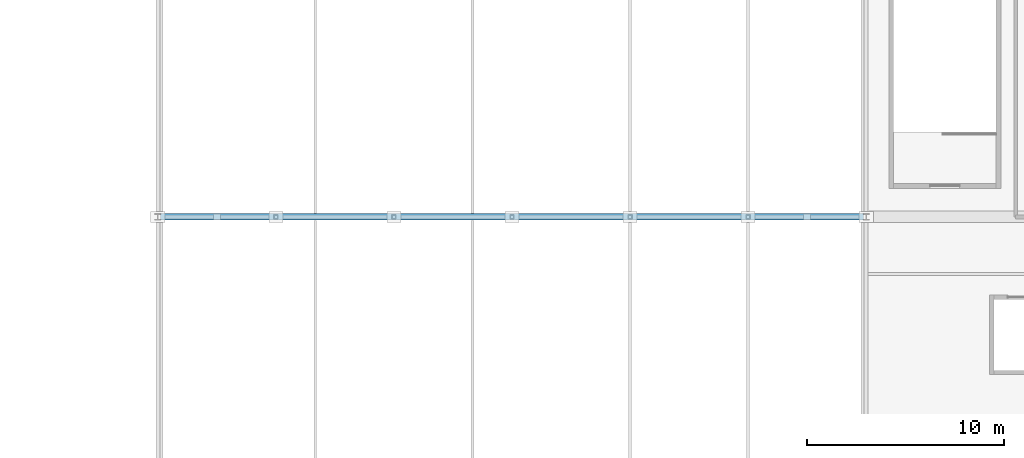
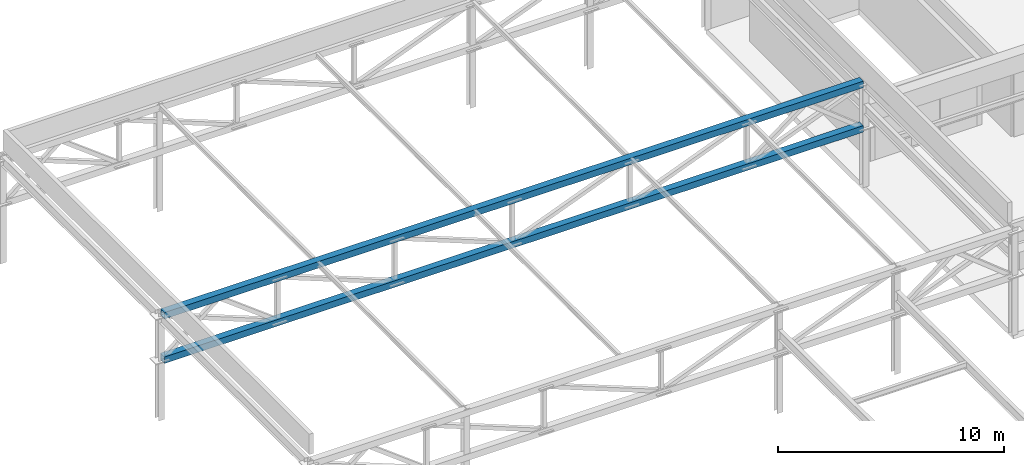
# One storey, part 50 of 122: 2 members.
"""IFC4 building model written with IfcOpenShell, lengths in metres."""

from ifc_helpers import new_model, si_unit, direction, frame, origin, origin_2d, place, context, subcontext, project, spatial, hollow_rectangle, extrude, material, material_profile, profile_set, type_object, element, save


model = new_model("IFC4")

# Units and contexts
model_context = context("Model", 3, precision=1e-05, world=origin(), true_north=direction((0.0, 1.0)))
body_context = subcontext(model_context, "Body", "Model", "MODEL_VIEW")
ifc_project = project(units=[si_unit("LENGTHUNIT", "METRE"), si_unit("AREAUNIT", "SQUARE_METRE"), si_unit("VOLUMEUNIT", "CUBIC_METRE"), si_unit("PLANEANGLEUNIT", "RADIAN"), si_unit("MASSUNIT", "GRAM", prefix="KILO")], contexts=[model_context])

# Site, building, storey
site_placement = place(None, origin())
site = spatial("IfcSite", under=ifc_project, at=site_placement, CompositionType="ELEMENT")
building_placement = place(site_placement, origin())
building = spatial("IfcBuilding", under=site, at=building_placement, Name="Cuetzalor Civic Arena", CompositionType="ELEMENT")
storey_placement = place(building_placement, frame((0.0, 0.0, 16.199951171875)))
storey = spatial("IfcBuildingStorey", under=building, at=storey_placement, Name="L03", CompositionType="ELEMENT", Elevation=16.199951171875)

# Members
ifc_material = material(Name="Steel S355", Category="steel")
ifc_material_profile = material_profile(ifc_material, hollow_rectangle(XDim=0.35009765625, YDim=0.35009765625, WallThickness=0.01611328125, at=origin_2d()), Name="RHS 350x350x16")
ifc_profile_set = profile_set([ifc_material_profile], Name="Steel S355")
member_type = type_object("IfcMemberType", Name="PrattTrussChord_RHS350", PredefinedType="CHORD", material=ifc_profile_set)
for number, where, z_axis, x_axis, name in (
    (1, (-71.860107421875, 61.5, 5.60009765625), (1.0, 0.0, 0.0), (0.0, 1.0, 0.0), "Practice Court Pratt Top Chord T2"),
    (2, (-71.860107421875, 61.5, 3.199951171875), (1.0, 0.0, 0.0), (0.0, 1.0, 0.0), "Practice Court Pratt Bottom Chord T2"),
):
    element("IfcMember", number, at=place(storey_placement, frame(where, z_axis=z_axis, x_axis=x_axis)), inside=storey, type_object=member_type, Name=name, PredefinedType="CHORD", context=body_context, shape_type="SweptSolid", body=[
        extrude(hollow_rectangle(XDim=0.35009765625, YDim=0.35009765625, WallThickness=0.01611328125, at=origin_2d()), origin(), (0.0, 0.0, 1.0), 35.72021484375),
    ])

save(model, "model.ifc")
